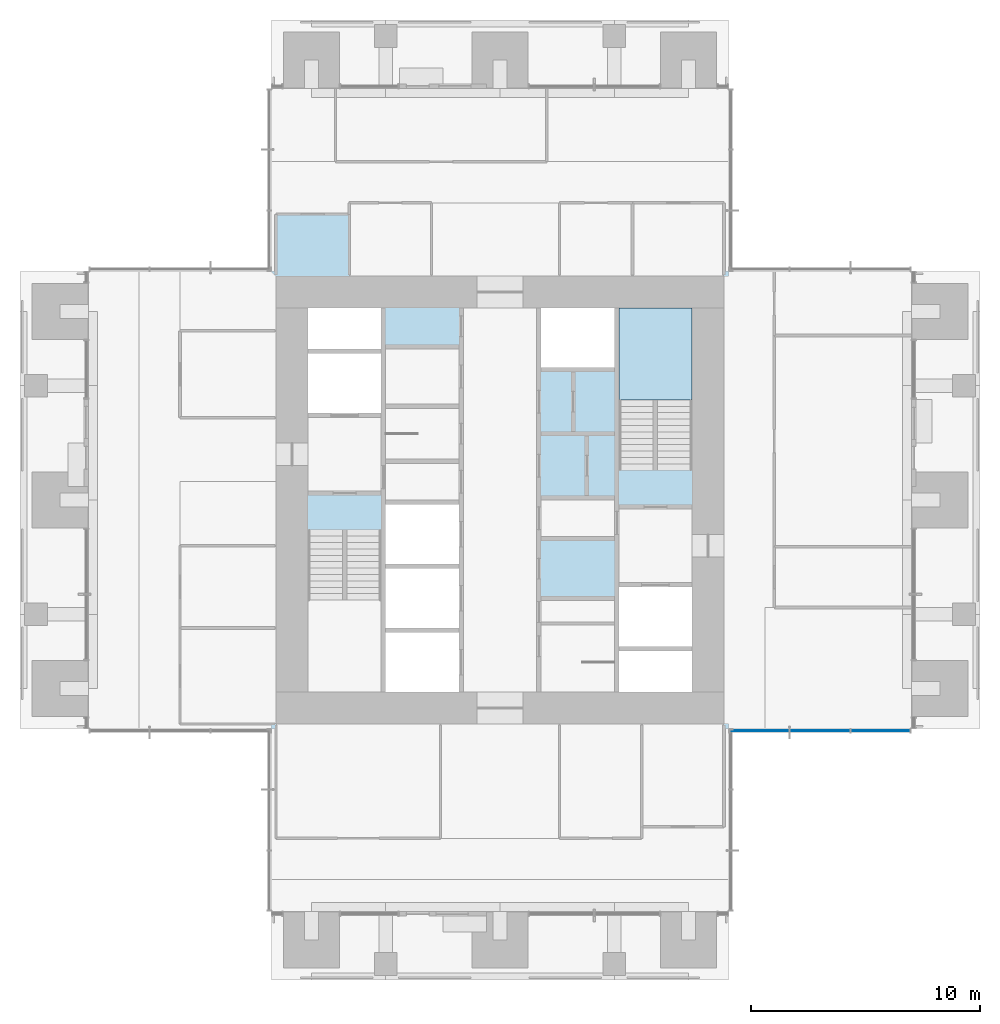
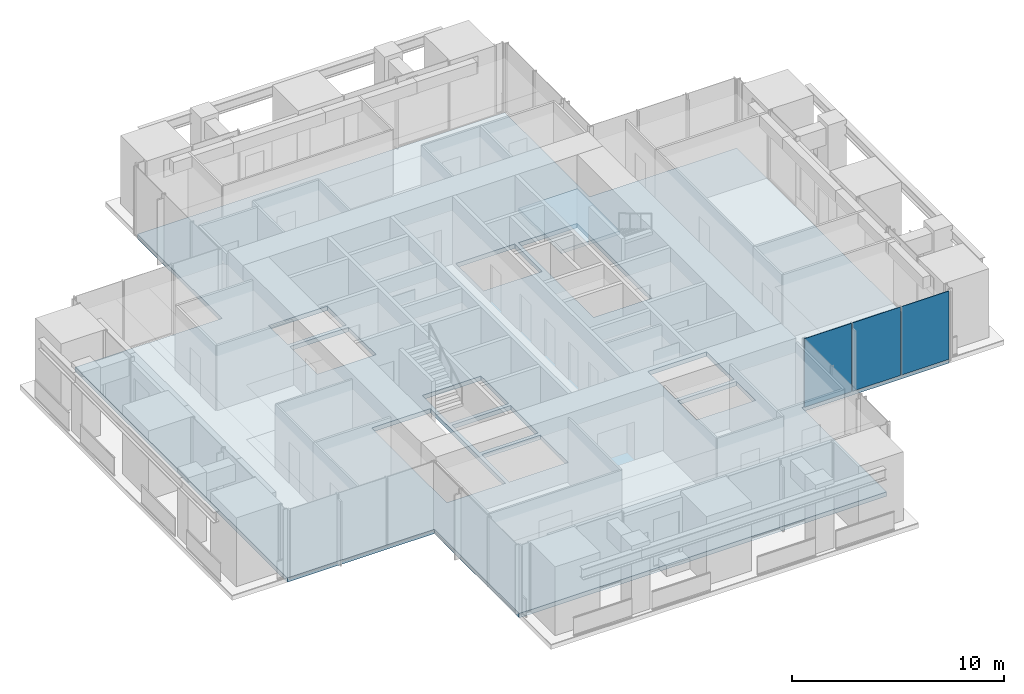
# One storey, part 9 of 17: 3 plates, 2 slabs, 2 elements without a shape of their own.
"""IFC4 building model written with IfcOpenShell, lengths in metres."""

from ifc_helpers import new_model, si_unit, direction, frame, origin, origin_2d, place, context, subcontext, project, spatial, polyline, rectangle, outline, extrude, material, layer, layer_set, type_object, element, aggregate, save


model = new_model("IFC4")

# Units and contexts
model_context = context("Model", 3, precision=1e-05, world=origin(), true_north=direction((0.0, 1.0)))
body_context = subcontext(model_context, "Body", "Model", "MODEL_VIEW")
ifc_project = project(units=[si_unit("LENGTHUNIT", "METRE"), si_unit("AREAUNIT", "SQUARE_METRE"), si_unit("VOLUMEUNIT", "CUBIC_METRE"), si_unit("PLANEANGLEUNIT", "RADIAN"), si_unit("MASSUNIT", "GRAM", prefix="KILO")], contexts=[model_context])

# Site, building, storey
site_placement = place(None, origin())
site = spatial("IfcSite", under=ifc_project, at=site_placement, CompositionType="ELEMENT")
building_placement = place(site_placement, origin())
building = spatial("IfcBuilding", under=site, at=building_placement, Name="Svetlomir Tower", CompositionType="ELEMENT")
storey_placement = place(building_placement, frame((0.0, 0.0, 182.5)))
storey = spatial("IfcBuildingStorey", under=building, at=storey_placement, Name="L43", CompositionType="ELEMENT", Elevation=182.5)

# Curtain wall, plates
ifc_material_1 = material(Name="Bronze anodised aluminium curtain wall", Category="aluminium")
curtain_wall_type = type_object("IfcCurtainWallType", Name="CURTAIN WALL CW1 TOWER OFFICE", PredefinedType="NOTDEFINED", material=ifc_material_1)
curtain_wall_placement = place(storey_placement, origin())
curtain_wall = element("IfcCurtainWall", 1, at=curtain_wall_placement, inside=storey, type_object=curtain_wall_type, Name="Curtain wall CW1 L43", PredefinedType="NOTDEFINED")
ifc_material_2 = material(Name="Tinted double glazed unit", Category="glass")
ifc_layer_1 = layer(ifc_material_2, 0.031982421875)
ifc_layer_set_1 = layer_set([ifc_layer_1], Name="Tinted double glazed unit")
plate_type = type_object("IfcPlateType", Name="CW1 GLAZED PANEL 32", PredefinedType="CURTAIN_PANEL", material=ifc_layer_set_1)
plate_1_placement = place(storey_placement, frame((32.349609375, 10.89990234375, 0.06494140625), z_axis=(0.0, 0.0, 1.0), x_axis=(1.0, 0.0, 0.0)))
plate_1 = element("IfcPlate", 2, at=plate_1_placement, type_object=plate_type, Name="CW1 panel 1.1", PredefinedType="CURTAIN_PANEL", context=body_context, shape_type="SweptSolid", body=[
    extrude(rectangle(XDim=2.569091796875, YDim=0.031982421875, at=origin_2d()), origin(), (0.0, 0.0, 1.0), 3.93505859375),
])
plate_2_placement = place(storey_placement, frame((35.0, 10.89990234375, 0.06494140625), z_axis=(0.0, 0.0, 1.0), x_axis=(1.0, 0.0, 0.0)))
plate_2 = element("IfcPlate", 3, at=plate_2_placement, type_object=plate_type, Name="CW1 panel 2.1", PredefinedType="CURTAIN_PANEL", context=body_context, shape_type="SweptSolid", body=[
    extrude(rectangle(XDim=2.6015625, YDim=0.031982421875, at=origin_2d()), origin(), (0.0, 0.0, 1.0), 3.93505859375),
])
plate_3_placement = place(storey_placement, frame((37.650390625, 10.89990234375, 0.06494140625), z_axis=(0.0, 0.0, 1.0), x_axis=(1.0, 0.0, 0.0)))
plate_3 = element("IfcPlate", 4, at=plate_3_placement, type_object=plate_type, Name="CW1 panel 3.1", PredefinedType="CURTAIN_PANEL", context=body_context, shape_type="SweptSolid", body=[
    extrude(rectangle(XDim=2.569091796875, YDim=0.031982421875, at=origin_2d()), origin(), (0.0, 0.0, 1.0), 3.93505859375),
])
aggregate(curtain_wall, [plate_1, plate_2, plate_3])

# Slab
ifc_material_3 = material(Name="Concrete C60/75", Category="concrete")
ifc_layer_2 = layer(ifc_material_3, 0.25)
ifc_layer_set_2 = layer_set([ifc_layer_2], Name="Concrete C60/75")
slab_type_1 = type_object("IfcSlabType", Name="FLOOR SLAB 250", PredefinedType="FLOOR", material=ifc_layer_set_2)
slab_1_placement = place(storey_placement, frame((0.0, 0.0, -0.25)))
element("IfcSlab", 5, at=slab_1_placement, inside=storey, type_object=slab_type_1, Name="L43 floor slab", PredefinedType="FLOOR", context=body_context, shape_type="SweptSolid", body=[
    extrude(outline(polyline([(11.0, 3.0), (31.0, 3.0), (31.0, 11.0), (39.0, 11.0), (39.0, 31.0), (31.0, 31.0), (31.0, 39.0), (11.0, 39.0), (11.0, 31.0), (3.0, 31.0), (3.0, 11.0), (11.0, 11.0), (11.0, 3.0)]), holes=[polyline([(12.60009765625, 24.800048828125), (15.800048828125, 24.800048828125), (15.800048828125, 27.39990234375), (12.60009765625, 27.39990234375), (12.60009765625, 24.800048828125)]), polyline([(26.199951171875, 14.60009765625), (29.39990234375, 14.60009765625), (29.39990234375, 17.199951171875), (26.199951171875, 17.199951171875), (26.199951171875, 14.60009765625)]), polyline([(16.0, 12.60009765625), (19.199951171875, 12.60009765625), (19.199951171875, 15.199951171875), (16.0, 15.199951171875), (16.0, 12.60009765625)]), polyline([(16.0, 15.39990234375), (19.199951171875, 15.39990234375), (19.199951171875, 18.0), (16.0, 18.0), (16.0, 15.39990234375)]), polyline([(16.0, 18.199951171875), (19.199951171875, 18.199951171875), (19.199951171875, 20.800048828125), (16.0, 20.800048828125), (16.0, 18.199951171875)]), polyline([(22.800048828125, 26.800048828125), (26.0, 26.800048828125), (26.0, 29.39990234375), (22.800048828125, 29.39990234375), (22.800048828125, 26.800048828125)]), polyline([(12.60009765625, 27.60009765625), (15.800048828125, 27.60009765625), (15.800048828125, 29.39990234375), (12.60009765625, 29.39990234375), (12.60009765625, 27.60009765625)]), polyline([(26.199951171875, 12.60009765625), (29.39990234375, 12.60009765625), (29.39990234375, 14.39990234375), (26.199951171875, 14.39990234375), (26.199951171875, 12.60009765625)]), polyline([(12.60009765625, 12.60009765625), (15.800048828125, 12.60009765625), (15.800048828125, 19.679931640625), (12.60009765625, 19.679931640625), (12.60009765625, 12.60009765625)]), polyline([(26.199951171875, 22.320068359375), (29.39990234375, 22.320068359375), (29.39990234375, 29.39990234375), (26.199951171875, 29.39990234375), (26.199951171875, 22.320068359375)])]), origin(), (0.0, 0.0, 1.0), 0.25),
])

# Stair, slab
ifc_material_4 = material(Name="Concrete C60/75", Category="concrete")
stair_type = type_object("IfcStairType", Name="EXIT STAIR 3200 RISE 4000", PredefinedType="HALF_TURN_STAIR", material=ifc_material_4)
stair_placement = place(storey_placement, origin())
stair = element("IfcStair", 6, at=stair_placement, inside=storey, type_object=stair_type, Name="Stair S2 L43 to L44", PredefinedType="HALF_TURN_STAIR")
ifc_material_5 = material(Name="Concrete C60/75", Category="concrete")
ifc_layer_3 = layer(ifc_material_5, 0.199951171875)
ifc_layer_set_3 = layer_set([ifc_layer_3], Name="Concrete C60/75")
slab_type_2 = type_object("IfcSlabType", Name="STAIR LANDING 200", PredefinedType="LANDING", material=ifc_layer_set_3)
slab_2_placement = place(storey_placement, frame((0.0, 0.0, 1.800048828125)))
slab_2 = element("IfcSlab", 7, at=slab_2_placement, type_object=slab_type_2, Name="S2 landing 1", PredefinedType="LANDING", context=body_context, shape_type="SweptSolid", body=[
    extrude(outline(polyline([(26.199951171875, 25.3798828125), (29.39990234375, 25.3798828125), (29.39990234375, 29.39990234375), (26.199951171875, 29.39990234375), (26.199951171875, 25.3798828125)])), origin(), (0.0, 0.0, 1.0), 0.199951171875),
])
aggregate(stair, [slab_2])

save(model, "model.ifc")
